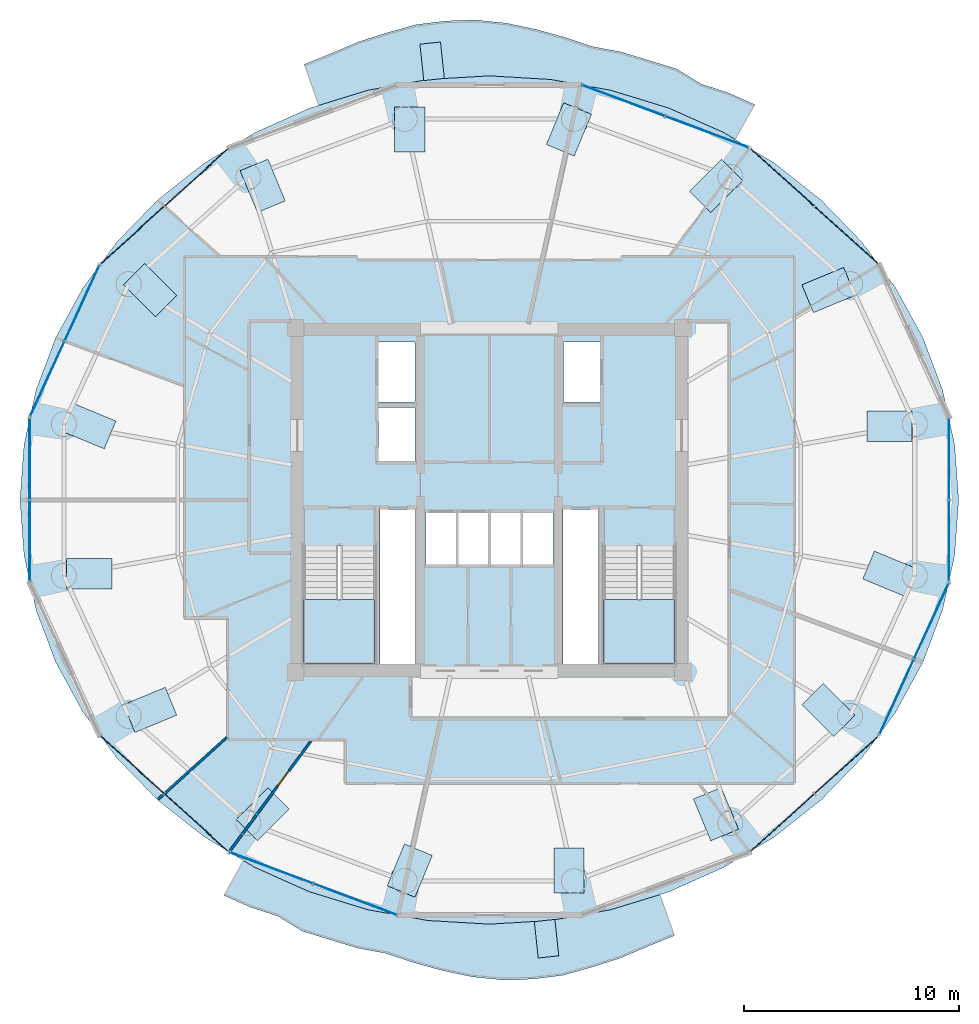
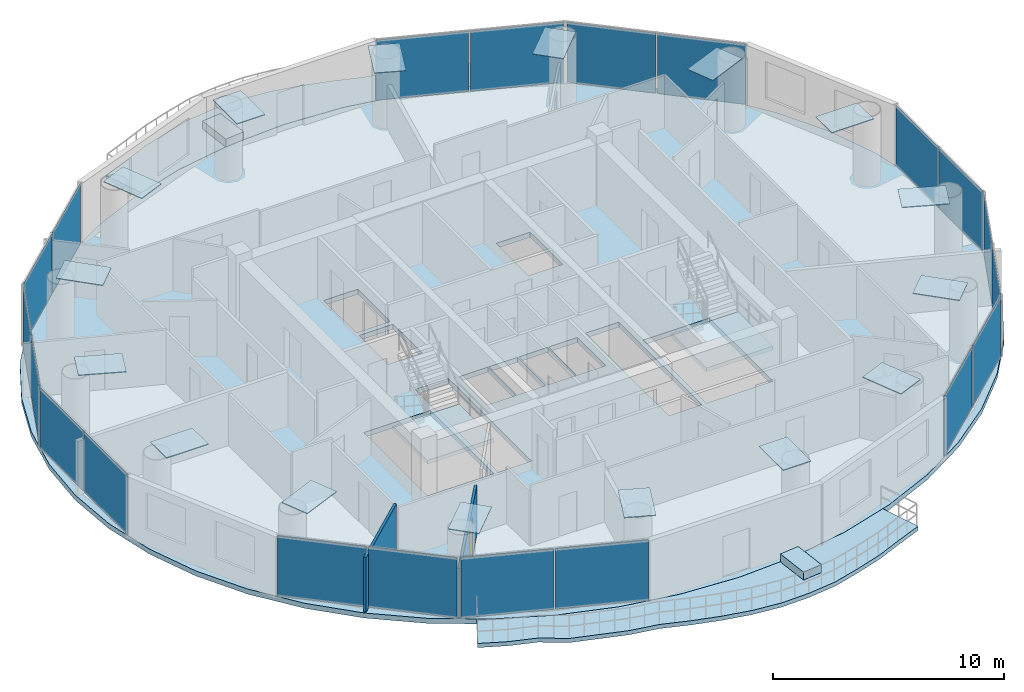
# One storey, part 19 of 26: 36 plates, 7 slabs, 2 walls, 1 door, 1 opening, 12 elements without a shape of their own.
"""IFC4 building model written with IfcOpenShell, lengths in metres."""

from ifc_helpers import new_model, si_unit, direction, frame, frame_2d, origin, origin_2d, place, context, subcontext, project, spatial, polyline, rectangle, outline, extrude, source, transform, mapped, material, layer, layer_set, type_object, element, fill, aggregate, save


model = new_model("IFC4")

# Units and contexts
model_context = context("Model", 3, precision=1e-05, world=origin(), true_north=direction((-0.2419218956, 0.970295726276)))
body_context = subcontext(model_context, "Body", "Model", "MODEL_VIEW")
ifc_project = project(units=[si_unit("LENGTHUNIT", "METRE"), si_unit("AREAUNIT", "SQUARE_METRE"), si_unit("VOLUMEUNIT", "CUBIC_METRE"), si_unit("PLANEANGLEUNIT", "RADIAN"), si_unit("MASSUNIT", "GRAM", prefix="KILO")], contexts=[model_context])

# Site, building, storey
site_placement = place(None, origin())
site = spatial("IfcSite", under=ifc_project, at=site_placement, CompositionType="ELEMENT")
building_placement = place(site_placement, origin())
building = spatial("IfcBuilding", under=site, at=building_placement, Name="Cobrevalo Terracotta Tower", CompositionType="ELEMENT")
storey_placement = place(building_placement, frame((0.0, 0.0, 239.300048828125)))
storey = spatial("IfcBuildingStorey", under=building, at=storey_placement, Name="L63", CompositionType="ELEMENT", Elevation=239.300048828125)

# Stair, slab
ifc_material_1 = material(Name="Concrete C50", Category="concrete")
stair_type = type_object("IfcStairType", Name="Core protected escape dogleg stair 1600", PredefinedType="HALF_TURN_STAIR", material=ifc_material_1)
stair_1_placement = place(storey_placement, origin())
stair_1 = element("IfcStair", 1, at=stair_1_placement, inside=storey, type_object=stair_type, Name="L63 Protected exit stair ST-1", PredefinedType="HALF_TURN_STAIR")
ifc_layer_1 = layer(ifc_material_1, 0.199951171875)
ifc_layer_set_1 = layer_set([ifc_layer_1], Name="Concrete C50")
slab_type_1 = type_object("IfcSlabType", Name="Reinforced Concrete Stair Landing 200", PredefinedType="LANDING", material=ifc_layer_set_1)
slab_1_placement = place(storey_placement, frame((0.0, 0.0, 1.64990234375)))
slab_1 = element("IfcSlab", 2, at=slab_1_placement, type_object=slab_type_1, Name="ST-1 landing 1", PredefinedType="LANDING", context=body_context, shape_type="SweptSolid", body=[
    extrude(outline(polyline([(29.375, 22.179931640625), (29.375, 19.175048828125), (32.695068359375, 19.175048828125), (32.695068359375, 22.179931640625), (29.375, 22.179931640625)])), origin(), (0.0, 0.0, 1.0), 0.199951171875),
])
aggregate(stair_1, [slab_1])

stair_2_placement = place(storey_placement, origin())
stair_2 = element("IfcStair", 3, at=stair_2_placement, inside=storey, type_object=stair_type, Name="L63 Protected exit stair ST-2", PredefinedType="HALF_TURN_STAIR")
slab_2_placement = place(storey_placement, frame((0.0, 0.0, 1.64990234375)))
slab_2 = element("IfcSlab", 4, at=slab_2_placement, type_object=slab_type_1, Name="ST-2 landing 1", PredefinedType="LANDING", context=body_context, shape_type="SweptSolid", body=[
    extrude(outline(polyline([(43.304931640625, 22.179931640625), (43.304931640625, 19.175048828125), (46.625, 19.175048828125), (46.625, 22.179931640625), (43.304931640625, 22.179931640625)])), origin(), (0.0, 0.0, 1.0), 0.199951171875),
])
aggregate(stair_2, [slab_2])

# Slabs
ifc_material_2 = material(Name="Concrete C45", Category="concrete")
ifc_layer_2 = layer(ifc_material_2, 0.219970703125)
ifc_layer_set_2 = layer_set([ifc_layer_2], Name="Concrete C45")
slab_type_2 = type_object("IfcSlabType", Name="Spiralling cantilevered balcony lobe slab 220 mm", PredefinedType="FLOOR", material=ifc_layer_set_2)
slab_3_placement = place(storey_placement, frame((0.0, 0.0, -0.219970703125)))
element("IfcSlab", 5, at=slab_3_placement, inside=storey, type_object=slab_type_2, Name="L63 spiralling arc balcony slab lobe 1", PredefinedType="FLOOR", context=body_context, shape_type="SweptSolid", body=[
    extrude(outline(polyline([(50.33154296875, 45.164306640625), (49.117431640625, 45.70703125), (47.845947265625, 46.122802734375), (46.691162109375, 46.826416015625), (45.404296875, 47.22314453125), (44.11669921875, 47.614990234375), (42.786865234375, 47.862060546875), (41.48193359375, 48.2978515625), (40.14404296875, 48.666748046875), (38.773193359375, 48.953125), (37.382568359375, 49.09521484375), (35.9853515625, 49.052978515625), (34.600341796875, 48.881103515625), (33.25341796875, 48.5048828125), (31.930908203125, 48.083984375), (30.661865234375, 47.5439453125), (29.3994140625, 47.032958984375), (30.071533203125, 45.129638671875), (32.357177734375, 45.83056640625), (35.154296875, 46.33349609375), (38.0, 46.501953125), (40.845703125, 46.33349609375), (43.642822265625, 45.83056640625), (46.34326171875, 45.002197265625), (48.90087890625, 43.862548828125), (49.42822265625, 43.5439453125), (50.33154296875, 45.164306640625)])), origin(), (0.0, 0.0, 1.0), 0.219970703125),
])
slab_4_placement = place(storey_placement, frame((0.0, 0.0, -0.219970703125)))
element("IfcSlab", 6, at=slab_4_placement, inside=storey, type_object=slab_type_2, Name="L63 spiralling arc balcony slab lobe 2", PredefinedType="FLOOR", context=body_context, shape_type="SweptSolid", body=[
    extrude(outline(polyline([(25.66845703125, 8.435546875), (26.882568359375, 7.89306640625), (28.154052734375, 7.47705078125), (29.308837890625, 6.773681640625), (30.595703125, 6.376708984375), (31.88330078125, 5.985107421875), (33.213134765625, 5.738037109375), (34.51806640625, 5.302001953125), (35.85595703125, 4.93310546875), (37.226806640625, 4.64697265625), (38.617431640625, 4.504638671875), (40.0146484375, 4.546875), (41.399658203125, 4.718994140625), (42.74658203125, 5.09521484375), (44.069091796875, 5.51611328125), (45.338134765625, 6.055908203125), (46.6005859375, 6.567138671875), (45.928466796875, 8.470458984375), (43.642822265625, 7.769287109375), (40.845703125, 7.2666015625), (38.0, 7.097900390625), (35.154296875, 7.2666015625), (32.357177734375, 7.769287109375), (29.65673828125, 8.59765625), (27.09912109375, 9.737548828125), (26.57177734375, 10.055908203125), (25.66845703125, 8.435546875)])), origin(), (0.0, 0.0, 1.0), 0.219970703125),
])
ifc_material_3 = material(Name="Precast concrete C45", Category="concrete")
ifc_layer_3 = layer(ifc_material_3, 0.419921875)
ifc_layer_set_3 = layer_set([ifc_layer_3], Name="Precast concrete C45")
slab_type_3 = type_object("IfcSlabType", Name="Structural tree planter trough base 420 mm", PredefinedType="USERDEFINED", material=ifc_layer_set_3)
slab_5_placement = place(storey_placement, origin())
element("IfcSlab", 7, at=slab_5_placement, inside=storey, type_object=slab_type_3, Name="L63 structural tree planter trough 1", ObjectType="PLANTER", PredefinedType="USERDEFINED", context=body_context, shape_type="SweptSolid", body=[
    extrude(outline(polyline([(35.9111328125, 46.384033203125), (35.729736328125, 48.074462890625), (34.775390625, 47.971923828125), (34.95654296875, 46.28173828125), (35.9111328125, 46.384033203125)])), origin(), (0.0, 0.0, 1.0), 0.419921875),
])
slab_6_placement = place(storey_placement, origin())
element("IfcSlab", 8, at=slab_6_placement, inside=storey, type_object=slab_type_3, Name="L63 structural tree planter trough 2", ObjectType="PLANTER", PredefinedType="USERDEFINED", context=body_context, shape_type="SweptSolid", body=[
    extrude(outline(polyline([(40.0888671875, 7.216064453125), (40.270263671875, 5.525634765625), (41.224609375, 5.6279296875), (41.04345703125, 7.318359375), (40.0888671875, 7.216064453125)])), origin(), (0.0, 0.0, 1.0), 0.419921875),
])
ifc_layer_4 = layer(ifc_material_2, 0.264892578125)
ifc_layer_set_4 = layer_set([ifc_layer_4], Name="Concrete C45")
slab_type_4 = type_object("IfcSlabType", Name="Zone Z4 elliptical floor plate 265 mm", PredefinedType="FLOOR", material=ifc_layer_set_4)
slab_7_placement = place(storey_placement, frame((0.0, 0.0, -0.26513671875)))
element("IfcSlab", 9, at=slab_7_placement, inside=storey, type_object=slab_type_4, Name="L63 indoor elliptical floor slab", PredefinedType="FLOOR", context=body_context, shape_type="SweptSolid", body=[
    extrude(outline(polyline([(59.613525390625, 24.228515625), (59.05712890625, 21.701171875), (58.140625, 19.26123046875), (56.87939453125, 16.949951171875), (55.295166015625, 14.807373046875), (53.4150390625, 12.8701171875), (51.27099609375, 11.1708984375), (48.89990234375, 9.7392578125), (46.342529296875, 8.599609375), (43.642333984375, 7.771240234375), (40.845458984375, 7.2685546875), (38.0, 7.10009765625), (35.154541015625, 7.2685546875), (32.357666015625, 7.771240234375), (29.657470703125, 8.599609375), (27.10009765625, 9.7392578125), (24.72900390625, 11.1708984375), (22.5849609375, 12.8701171875), (20.704833984375, 14.807373046875), (19.12060546875, 16.949951171875), (17.859375, 19.26123046875), (16.94287109375, 21.701171875), (16.386474609375, 24.228515625), (16.199951171875, 26.800048828125), (16.386474609375, 29.371337890625), (16.94287109375, 31.898681640625), (17.859375, 34.3388671875), (19.12060546875, 36.64990234375), (20.704833984375, 38.79248046875), (22.5849609375, 40.72998046875), (24.72900390625, 42.428955078125), (27.10009765625, 43.860595703125), (29.657470703125, 45.00048828125), (32.357666015625, 45.828857421875), (35.154541015625, 46.33154296875), (38.0, 46.5), (40.845458984375, 46.33154296875), (43.642333984375, 45.828857421875), (46.342529296875, 45.00048828125), (48.89990234375, 43.860595703125), (51.27099609375, 42.428955078125), (53.4150390625, 40.72998046875), (55.295166015625, 38.79248046875), (56.87939453125, 36.64990234375), (58.140625, 34.3388671875), (59.05712890625, 31.898681640625), (59.613525390625, 29.371337890625), (59.800048828125, 26.800048828125), (59.613525390625, 24.228515625)]), holes=[polyline([(32.695068359375, 19.175048828125), (32.695068359375, 24.659912109375), (29.375, 24.659912109375), (29.375, 19.175048828125), (32.695068359375, 19.175048828125)]), polyline([(34.574951171875, 26.360107421875), (32.919921875, 26.360107421875), (32.919921875, 19.175048828125), (34.574951171875, 19.175048828125), (34.574951171875, 26.360107421875)]), polyline([(36.47998046875, 26.25), (35.050048828125, 26.25), (35.050048828125, 23.800048828125), (36.47998046875, 23.800048828125), (36.47998046875, 26.25)]), polyline([(37.9599609375, 23.800048828125), (37.9599609375, 26.25), (36.530029296875, 26.25), (36.530029296875, 23.800048828125), (37.9599609375, 23.800048828125)]), polyline([(34.550048828125, 28.60009765625), (34.550048828125, 31.10009765625), (32.85009765625, 31.10009765625), (32.85009765625, 28.60009765625), (34.550048828125, 28.60009765625)]), polyline([(34.550048828125, 34.14990234375), (32.85009765625, 34.14990234375), (32.85009765625, 31.35009765625), (34.550048828125, 31.35009765625), (34.550048828125, 34.14990234375)]), polyline([(43.304931640625, 19.175048828125), (46.625, 19.175048828125), (46.625, 24.659912109375), (43.304931640625, 24.659912109375), (43.304931640625, 19.175048828125)]), polyline([(43.080078125, 19.175048828125), (43.080078125, 26.360107421875), (41.425048828125, 26.360107421875), (41.425048828125, 19.175048828125), (43.080078125, 19.175048828125)]), polyline([(39.469970703125, 26.25), (38.0400390625, 26.25), (38.0400390625, 23.800048828125), (39.469970703125, 23.800048828125), (39.469970703125, 26.25)]), polyline([(40.949951171875, 23.800048828125), (40.949951171875, 26.25), (39.52001953125, 26.25), (39.52001953125, 23.800048828125), (40.949951171875, 23.800048828125)]), polyline([(43.14990234375, 31.35009765625), (43.14990234375, 34.14990234375), (41.449951171875, 34.14990234375), (41.449951171875, 31.35009765625), (43.14990234375, 31.35009765625)])]), origin(), (0.0, 0.0, 1.0), 0.26513671875),
])

# Plates
ifc_material_4 = material(Name="Steel S355", Category="steel")
ifc_layer_5 = layer(ifc_material_4, 0.044921875)
ifc_layer_set_5 = layer_set([ifc_layer_5], Name="Steel S355")
plate_type_1 = type_object("IfcPlateType", Name="Structural Cap Plate 2100x1400x45 (Steel S355)", PredefinedType="USERDEFINED", material=ifc_layer_set_5)
shared_shape_1 = source(origin(), body_context, "Body", "SweptSolid", [
    extrude(rectangle(XDim=2.10009765625, YDim=1.39990234375, at=origin_2d()), origin(), (0.0, 0.0, 1.0), 0.044921875),
])
for number, where, z_axis, x_axis, name in (
    (10, (56.5859375, 30.223876953125, 3.677490234375), (0.0, 0.0, 1.0), (1.0, 0.0, 0.0), "L63 hollow end cap plate CAP-MCT-L63-01"),
    (11, (53.75634765625, 36.55029296875, 3.677490234375), (0.0, 0.0, 1.0), (0.923879532511, 0.382683432365, 0.0), "L63 hollow end cap plate CAP-MCT-L63-02"),
    (12, (48.528076171875, 41.392333984375, 3.677490234375), (0.0, 0.0, 1.0), (0.707106781187, 0.707106781187, 0.0), "L63 hollow end cap plate CAP-MCT-L63-03"),
    (13, (41.697021484375, 44.0126953125, 3.677490234375), (0.0, 0.0, 1.0), (0.382683432365, 0.923879532511, 0.0), "L63 hollow end cap plate CAP-MCT-L63-04"),
    (14, (34.302978515625, 44.0126953125, 3.677490234375), (0.0, 0.0, 1.0), (0.0, 1.0, 0.0), "L63 hollow end cap plate CAP-MCT-L63-05"),
    (15, (27.471923828125, 41.392333984375, 3.677490234375), (0.0, 0.0, 1.0), (-0.382683432365, 0.923879532511, 0.0), "L63 hollow end cap plate CAP-MCT-L63-06"),
    (16, (22.24365234375, 36.55029296875, 3.677490234375), (0.0, 0.0, 1.0), (-0.707106781187, 0.707106781187, 0.0), "L63 hollow end cap plate CAP-MCT-L63-07"),
    (17, (19.4140625, 30.223876953125, 3.677490234375), (0.0, 0.0, 1.0), (-0.923879532511, 0.382683432365, 0.0), "L63 hollow end cap plate CAP-MCT-L63-08"),
    (18, (19.4140625, 23.376220703125, 3.677490234375), (0.0, 0.0, 1.0), (-1.0, 0.0, 0.0), "L63 hollow end cap plate CAP-MCT-L63-09"),
    (19, (22.24365234375, 17.0498046875, 3.677490234375), (0.0, 0.0, 1.0), (-0.923879532511, -0.382683432365, 0.0), "L63 hollow end cap plate CAP-MCT-L63-10"),
    (20, (27.471923828125, 12.207763671875, 3.677490234375), (0.0, 0.0, 1.0), (-0.707106781187, -0.707106781187, 0.0), "L63 hollow end cap plate CAP-MCT-L63-11"),
    (21, (34.302978515625, 9.587158203125, 3.677490234375), (0.0, 0.0, 1.0), (-0.382683432365, -0.923879532511, 0.0), "L63 hollow end cap plate CAP-MCT-L63-12"),
    (22, (41.697021484375, 9.587158203125, 3.677490234375), (0.0, 0.0, 1.0), (0.0, -1.0, 0.0), "L63 hollow end cap plate CAP-MCT-L63-13"),
    (23, (48.528076171875, 12.207763671875, 3.677490234375), (0.0, 0.0, 1.0), (0.382683432365, -0.923879532511, 0.0), "L63 hollow end cap plate CAP-MCT-L63-14"),
    (24, (53.75634765625, 17.0498046875, 3.677490234375), (0.0, 0.0, 1.0), (0.707106781187, -0.707106781187, 0.0), "L63 hollow end cap plate CAP-MCT-L63-15"),
    (25, (56.5859375, 23.376220703125, 3.677490234375), (0.0, 0.0, 1.0), (0.923879532511, -0.382683432365, 0.0), "L63 hollow end cap plate CAP-MCT-L63-16"),
):
    element("IfcPlate", number, at=place(storey_placement, frame(where, z_axis=z_axis, x_axis=x_axis)), inside=storey, type_object=plate_type_1, Name=name, ObjectType="CAP PLATE", PredefinedType="USERDEFINED", context=body_context, shape_type="MappedRepresentation", body=[
        mapped(shared_shape_1, transform((0.0, 0.0, 0.0), scale=1.0)),
    ])

# Curtain wall, plates
ifc_material_5 = material(Name="Anodized aluminium", Category="aluminium")
curtain_wall_type = type_object("IfcCurtainWallType", Name="Mid-tower high-wind unitised curtain wall CW-U2", PredefinedType="NOTDEFINED", material=ifc_material_5)
curtain_wall_1_placement = place(storey_placement, origin())
curtain_wall_1 = element("IfcCurtainWall", 26, at=curtain_wall_1_placement, inside=storey, type_object=curtain_wall_type, Name="L63 curtain wall CW-L63-S02", PredefinedType="NOTDEFINED")
ifc_material_6 = material(Name="Solar-control low-E double glazing", Category="glass")
ifc_layer_6 = layer(ifc_material_6, 0.028076171875)
ifc_layer_set_6 = layer_set([ifc_layer_6], Name="Solar-control low-E double glazing")
plate_type_2 = type_object("IfcPlateType", Name="Tower solar-control low-E vision glass panel 28 mm", PredefinedType="CURTAIN_PANEL", material=ifc_layer_set_6)
shared_shape_2 = source(origin(), body_context, "Body", "SweptSolid", [
    extrude(rectangle(XDim=3.927490234375, YDim=0.035888671875, at=origin_2d()), origin(), (0.0, 0.0, 1.0), 3.169921875),
])
plate_1_placement = place(storey_placement, frame((54.584716796875, 39.09814453125, 0.0400390625), z_axis=(0.0, 0.0, 1.0), x_axis=(-0.741987542015, 0.670413668935, 0.0)))
plate_1 = element("IfcPlate", 27, at=plate_1_placement, type_object=plate_type_2, Name="CW-L63-S02 glazing panel B01", PredefinedType="CURTAIN_PANEL", context=body_context, shape_type="MappedRepresentation", body=[
    mapped(shared_shape_2, transform((0.0, 0.0, 0.0), scale=1.0)),
])
plate_2_placement = place(storey_placement, frame((51.611083984375, 41.784912109375, 0.0400390625), z_axis=(0.0, 0.0, 1.0), x_axis=(-0.741987542015, 0.670413668935, 0.0)))
plate_2 = element("IfcPlate", 28, at=plate_2_placement, type_object=plate_type_2, Name="CW-L63-S02 glazing panel B02", PredefinedType="CURTAIN_PANEL", context=body_context, shape_type="MappedRepresentation", body=[
    mapped(shared_shape_2, transform((0.0, 0.0, 0.0), scale=1.0)),
])
aggregate(curtain_wall_1, [plate_1, plate_2])

curtain_wall_2_placement = place(storey_placement, origin())
curtain_wall_2 = element("IfcCurtainWall", 29, at=curtain_wall_2_placement, inside=storey, type_object=curtain_wall_type, Name="L63 curtain wall CW-L63-S06", PredefinedType="NOTDEFINED")
plate_3_placement = place(storey_placement, frame((24.388916015625, 41.784912109375, 0.0400390625), z_axis=(0.0, 0.0, 1.0), x_axis=(-0.741987542015, -0.670413668935, 0.0)))
plate_3 = element("IfcPlate", 30, at=plate_3_placement, type_object=plate_type_2, Name="CW-L63-S06 glazing panel B01", PredefinedType="CURTAIN_PANEL", context=body_context, shape_type="MappedRepresentation", body=[
    mapped(shared_shape_2, transform((0.0, 0.0, 0.0), scale=1.0)),
])
plate_4_placement = place(storey_placement, frame((21.415283203125, 39.09814453125, 0.0400390625), z_axis=(0.0, 0.0, 1.0), x_axis=(-0.741987542015, -0.670413668935, 0.0)))
plate_4 = element("IfcPlate", 31, at=plate_4_placement, type_object=plate_type_2, Name="CW-L63-S06 glazing panel B02", PredefinedType="CURTAIN_PANEL", context=body_context, shape_type="MappedRepresentation", body=[
    mapped(shared_shape_2, transform((0.0, 0.0, 0.0), scale=1.0)),
])
aggregate(curtain_wall_2, [plate_3, plate_4])

curtain_wall_3_placement = place(storey_placement, origin())
curtain_wall_3 = element("IfcCurtainWall", 32, at=curtain_wall_3_placement, inside=storey, type_object=curtain_wall_type, Name="L63 curtain wall CW-L63-S10", PredefinedType="NOTDEFINED")
plate_5_placement = place(storey_placement, frame((21.415283203125, 14.501708984375, 0.0400390625), z_axis=(0.0, 0.0, 1.0), x_axis=(0.741987542015, -0.670413668935, 0.0)))
plate_5 = element("IfcPlate", 33, at=plate_5_placement, type_object=plate_type_2, Name="CW-L63-S10 glazing panel B01", PredefinedType="CURTAIN_PANEL", context=body_context, shape_type="MappedRepresentation", body=[
    mapped(shared_shape_2, transform((0.0, 0.0, 0.0), scale=1.0)),
])
plate_6_placement = place(storey_placement, frame((24.388916015625, 11.815185546875, 0.0400390625), z_axis=(0.0, 0.0, 1.0), x_axis=(0.741987542015, -0.670413668935, 0.0)))
plate_6 = element("IfcPlate", 34, at=plate_6_placement, type_object=plate_type_2, Name="CW-L63-S10 glazing panel B02", PredefinedType="CURTAIN_PANEL", context=body_context, shape_type="MappedRepresentation", body=[
    mapped(shared_shape_2, transform((0.0, 0.0, 0.0), scale=1.0)),
])
aggregate(curtain_wall_3, [plate_5, plate_6])

curtain_wall_4_placement = place(storey_placement, origin())
curtain_wall_4 = element("IfcCurtainWall", 35, at=curtain_wall_4_placement, inside=storey, type_object=curtain_wall_type, Name="L63 curtain wall CW-L63-S14", PredefinedType="NOTDEFINED")
plate_7_placement = place(storey_placement, frame((51.611083984375, 11.815185546875, 0.0400390625), z_axis=(0.0, 0.0, 1.0), x_axis=(0.741987542015, 0.670413668935, 0.0)))
plate_7 = element("IfcPlate", 36, at=plate_7_placement, type_object=plate_type_2, Name="CW-L63-S14 glazing panel B01", PredefinedType="CURTAIN_PANEL", context=body_context, shape_type="MappedRepresentation", body=[
    mapped(shared_shape_2, transform((0.0, 0.0, 0.0), scale=1.0)),
])
plate_8_placement = place(storey_placement, frame((54.584716796875, 14.501708984375, 0.0400390625), z_axis=(0.0, 0.0, 1.0), x_axis=(0.741987542015, 0.670413668935, 0.0)))
plate_8 = element("IfcPlate", 37, at=plate_8_placement, type_object=plate_type_2, Name="CW-L63-S14 glazing panel B02", PredefinedType="CURTAIN_PANEL", context=body_context, shape_type="MappedRepresentation", body=[
    mapped(shared_shape_2, transform((0.0, 0.0, 0.0), scale=1.0)),
])
aggregate(curtain_wall_4, [plate_7, plate_8])

curtain_wall_5_placement = place(storey_placement, origin())
curtain_wall_5 = element("IfcCurtainWall", 38, at=curtain_wall_5_placement, inside=storey, type_object=curtain_wall_type, Name="L63 curtain wall CW-L63-S03", PredefinedType="NOTDEFINED")
shared_shape_3 = source(origin(), body_context, "Body", "SweptSolid", [
    extrude(rectangle(XDim=4.069580078125, YDim=0.035888671875, at=origin_2d()), origin(), (0.0, 0.0, 1.0), 3.169921875),
])
plate_9_placement = place(storey_placement, frame((48.114013671875, 43.896240234375, 0.0400390625), z_axis=(0.0, 0.0, 1.0), x_axis=(-0.936557839879, 0.350513070458, 0.0)))
plate_9 = element("IfcPlate", 39, at=plate_9_placement, type_object=plate_type_2, Name="CW-L63-S03 glazing panel B01", PredefinedType="CURTAIN_PANEL", context=body_context, shape_type="MappedRepresentation", body=[
    mapped(shared_shape_3, transform((0.0, 0.0, 0.0), scale=1.0)),
])
plate_10_placement = place(storey_placement, frame((44.227783203125, 45.350830078125, 0.0400390625), z_axis=(0.0, 0.0, 1.0), x_axis=(-0.936557839879, 0.350513070458, 0.0)))
plate_10 = element("IfcPlate", 40, at=plate_10_placement, type_object=plate_type_2, Name="CW-L63-S03 glazing panel B02", PredefinedType="CURTAIN_PANEL", context=body_context, shape_type="MappedRepresentation", body=[
    mapped(shared_shape_3, transform((0.0, 0.0, 0.0), scale=1.0)),
])
aggregate(curtain_wall_5, [plate_9, plate_10])

curtain_wall_6_placement = place(storey_placement, origin())
curtain_wall_6 = element("IfcCurtainWall", 41, at=curtain_wall_6_placement, inside=storey, type_object=curtain_wall_type, Name="L63 curtain wall CW-L63-S11", PredefinedType="NOTDEFINED")
plate_11_placement = place(storey_placement, frame((27.885986328125, 9.70361328125, 0.0400390625), z_axis=(0.0, 0.0, 1.0), x_axis=(0.936557839879, -0.350513070458, 0.0)))
plate_11 = element("IfcPlate", 42, at=plate_11_placement, type_object=plate_type_2, Name="CW-L63-S11 glazing panel B01", PredefinedType="CURTAIN_PANEL", context=body_context, shape_type="MappedRepresentation", body=[
    mapped(shared_shape_3, transform((0.0, 0.0, 0.0), scale=1.0)),
])
plate_12_placement = place(storey_placement, frame((31.772216796875, 8.249267578125, 0.0400390625), z_axis=(0.0, 0.0, 1.0), x_axis=(0.936557839879, -0.350513070458, 0.0)))
plate_12 = element("IfcPlate", 43, at=plate_12_placement, type_object=plate_type_2, Name="CW-L63-S11 glazing panel B02", PredefinedType="CURTAIN_PANEL", context=body_context, shape_type="MappedRepresentation", body=[
    mapped(shared_shape_3, transform((0.0, 0.0, 0.0), scale=1.0)),
])
aggregate(curtain_wall_6, [plate_11, plate_12])

curtain_wall_7_placement = place(storey_placement, origin())
curtain_wall_7 = element("IfcCurtainWall", 44, at=curtain_wall_7_placement, inside=storey, type_object=curtain_wall_type, Name="L63 curtain wall CW-L63-S07", PredefinedType="NOTDEFINED")
shared_shape_4 = source(origin(), body_context, "Body", "SweptSolid", [
    extrude(rectangle(XDim=3.780029296875, YDim=0.035888671875, at=origin_2d()), origin(), (0.0, 0.0, 1.0), 3.169921875),
])
plate_13_placement = place(storey_placement, frame((19.077880859375, 35.937255859375, 0.0400390625), z_axis=(0.0, 0.0, 1.0), x_axis=(-0.416731425355, -0.909029657999, 0.0)))
plate_13 = element("IfcPlate", 45, at=plate_13_placement, type_object=plate_type_2, Name="CW-L63-S07 glazing panel B01", PredefinedType="CURTAIN_PANEL", context=body_context, shape_type="MappedRepresentation", body=[
    mapped(shared_shape_4, transform((0.0, 0.0, 0.0), scale=1.0)),
])
plate_14_placement = place(storey_placement, frame((17.46923828125, 32.42822265625, 0.0400390625), z_axis=(0.0, 0.0, 1.0), x_axis=(-0.416731425355, -0.909029657999, 0.0)))
plate_14 = element("IfcPlate", 46, at=plate_14_placement, type_object=plate_type_2, Name="CW-L63-S07 glazing panel B02", PredefinedType="CURTAIN_PANEL", context=body_context, shape_type="MappedRepresentation", body=[
    mapped(shared_shape_4, transform((0.0, 0.0, 0.0), scale=1.0)),
])
aggregate(curtain_wall_7, [plate_13, plate_14])

curtain_wall_8_placement = place(storey_placement, origin())
curtain_wall_8 = element("IfcCurtainWall", 47, at=curtain_wall_8_placement, inside=storey, type_object=curtain_wall_type, Name="L63 curtain wall CW-L63-S15", PredefinedType="NOTDEFINED")
plate_15_placement = place(storey_placement, frame((56.922119140625, 17.662841796875, 0.0400390625), z_axis=(0.0, 0.0, 1.0), x_axis=(0.416731425355, 0.909029657999, 0.0)))
plate_15 = element("IfcPlate", 48, at=plate_15_placement, type_object=plate_type_2, Name="CW-L63-S15 glazing panel B01", PredefinedType="CURTAIN_PANEL", context=body_context, shape_type="MappedRepresentation", body=[
    mapped(shared_shape_4, transform((0.0, 0.0, 0.0), scale=1.0)),
])
plate_16_placement = place(storey_placement, frame((58.53076171875, 21.171630859375, 0.0400390625), z_axis=(0.0, 0.0, 1.0), x_axis=(0.416731425355, 0.909029657999, 0.0)))
plate_16 = element("IfcPlate", 49, at=plate_16_placement, type_object=plate_type_2, Name="CW-L63-S15 glazing panel B02", PredefinedType="CURTAIN_PANEL", context=body_context, shape_type="MappedRepresentation", body=[
    mapped(shared_shape_4, transform((0.0, 0.0, 0.0), scale=1.0)),
])
aggregate(curtain_wall_8, [plate_15, plate_16])

curtain_wall_9_placement = place(storey_placement, origin())
curtain_wall_9 = element("IfcCurtainWall", 50, at=curtain_wall_9_placement, inside=storey, type_object=curtain_wall_type, Name="L63 curtain wall CW-L63-S08", PredefinedType="NOTDEFINED")
shared_shape_5 = source(origin(), body_context, "Body", "SweptSolid", [
    extrude(rectangle(XDim=3.71728515625, YDim=0.035888671875, at=origin_2d()), origin(), (0.0, 0.0, 1.0), 3.169921875),
])
plate_17_placement = place(storey_placement, frame((16.648193359375, 28.69873046875, 0.0400390625), z_axis=(0.0, 0.0, 1.0), x_axis=(0.0, -1.0, 0.0)))
plate_17 = element("IfcPlate", 51, at=plate_17_placement, type_object=plate_type_2, Name="CW-L63-S08 glazing panel B01", PredefinedType="CURTAIN_PANEL", context=body_context, shape_type="MappedRepresentation", body=[
    mapped(shared_shape_5, transform((0.0, 0.0, 0.0), scale=1.0)),
])
plate_18_placement = place(storey_placement, frame((16.648193359375, 24.9013671875, 0.0400390625), z_axis=(0.0, 0.0, 1.0), x_axis=(0.0, -1.0, 0.0)))
plate_18 = element("IfcPlate", 52, at=plate_18_placement, type_object=plate_type_2, Name="CW-L63-S08 glazing panel B02", PredefinedType="CURTAIN_PANEL", context=body_context, shape_type="MappedRepresentation", body=[
    mapped(shared_shape_5, transform((0.0, 0.0, 0.0), scale=1.0)),
])
aggregate(curtain_wall_9, [plate_17, plate_18])

curtain_wall_10_placement = place(storey_placement, origin())
curtain_wall_10 = element("IfcCurtainWall", 53, at=curtain_wall_10_placement, inside=storey, type_object=curtain_wall_type, Name="L63 curtain wall CW-L63-S16", PredefinedType="NOTDEFINED")
plate_19_placement = place(storey_placement, frame((59.351806640625, 24.9013671875, 0.0400390625), z_axis=(0.0, 0.0, 1.0), x_axis=(0.0, 1.0, 0.0)))
plate_19 = element("IfcPlate", 54, at=plate_19_placement, type_object=plate_type_2, Name="CW-L63-S16 glazing panel B01", PredefinedType="CURTAIN_PANEL", context=body_context, shape_type="MappedRepresentation", body=[
    mapped(shared_shape_5, transform((0.0, 0.0, 0.0), scale=1.0)),
])
plate_20_placement = place(storey_placement, frame((59.351806640625, 28.69873046875, 0.0400390625), z_axis=(0.0, 0.0, 1.0), x_axis=(0.0, 1.0, 0.0)))
plate_20 = element("IfcPlate", 55, at=plate_20_placement, type_object=plate_type_2, Name="CW-L63-S16 glazing panel B02", PredefinedType="CURTAIN_PANEL", context=body_context, shape_type="MappedRepresentation", body=[
    mapped(shared_shape_5, transform((0.0, 0.0, 0.0), scale=1.0)),
])
aggregate(curtain_wall_10, [plate_19, plate_20])

# Wall
ifc_material_7 = material(Name="Gypsum board on steel stud", Category="steel")
ifc_layer_7 = layer(ifc_material_7, 0.1201171875)
ifc_layer_set_7 = layer_set([ifc_layer_7], Name="Gypsum board on steel stud")
wall_type = type_object("IfcWallType", Name="Residential internal acoustic stud partition 120 mm", PredefinedType="PARTITIONING", material=ifc_layer_set_7)
wall_1_placement = place(storey_placement, frame((25.80908203125, 15.783447265625, 0.0), z_axis=(0.0, 0.0, 1.0), x_axis=(-0.741938009522, -0.670468485483, 0.0)))
element("IfcWall", 56, at=wall_1_placement, inside=storey, type_object=wall_type, Name="L63 interior partition IW-L63-U3-ORAD1", PredefinedType="PARTITIONING", context=body_context, shape_type="SweptSolid", body=[
    extrude(rectangle(XDim=4.28369140625, YDim=0.1201171875, at=frame_2d((2.141845703125, 0.0))), origin(), (0.0, 0.0, 1.0), 2.880859375),
])

# Wall, opening, door
wall_2_placement = place(storey_placement, frame((29.722412109375, 15.605224609375, 0.0), z_axis=(0.0, 0.0, 1.0), x_axis=(-0.594518724985, -0.80408176552, 0.0)))
wall_2 = element("IfcWall", 57, at=wall_2_placement, inside=storey, type_object=wall_type, Name="L63 interior partition IW-L63-U3-ORAD2M1", PredefinedType="PARTITIONING", context=body_context, shape_type="SweptSolid", body=[
    extrude(rectangle(XDim=6.344482421875, YDim=0.1201171875, at=frame_2d((3.17236328125, 0.0))), origin(), (0.0, 0.0, 1.0), 2.599853515625),
])
opening_placement = place(wall_2_placement, frame((1.714111328125, 0.0, 0.0)))
opening = element("IfcOpeningElement", 58, at=opening_placement, cuts=wall_2, Name="Opening ID-12", PredefinedType="OPENING", context=body_context, shape_type="SweptSolid", body=[
    extrude(rectangle(XDim=0.89990234375, YDim=2.14990234375, at=frame_2d((0.449951171875, 1.074951171875))), frame((0.0, 0.070068359375, 0.0), z_axis=(0.0, -1.0, 0.0), x_axis=(1.0, 0.0, 0.0)), (0.0, 0.0, 1.0), 0.14013671875),
])
ifc_material_8 = material(Name="Engineered timber", Category="wood")
door_type = type_object("IfcDoorType", Name="Internal residence & suite timber door 900x2150", OperationType="NOTDEFINED", PredefinedType="DOOR", material=ifc_material_8)
shared_shape_6 = source(origin(), body_context, "Body", "SweptSolid", [
    extrude(rectangle(XDim=0.89990234375, YDim=2.14990234375, at=frame_2d((0.449951171875, 1.074951171875))), frame((0.0, 0.02490234375, 0.0), z_axis=(0.0, -1.0, 0.0), x_axis=(1.0, 0.0, 0.0)), (0.0, 0.0, 1.0), 0.050048828125),
])
door_placement = place(opening_placement, frame((0.89990234375, 0.0, 0.0), z_axis=(0.0, 0.0, 1.0), x_axis=(-1.0, 0.0, 0.0)))
door = element("IfcDoor", 59, at=door_placement, inside=storey, type_object=door_type, Name="Flat L63C Master Bedroom internal door", OperationType="SINGLE_SWING_RIGHT", OverallHeight=2.14990234375, OverallWidth=0.89990234375, PredefinedType="DOOR", context=body_context, shape_type="MappedRepresentation", body=[
    mapped(shared_shape_6, transform((0.0, 0.0, 0.0), scale=1.0)),
])
fill(opening, door)

save(model, "model.ifc")
